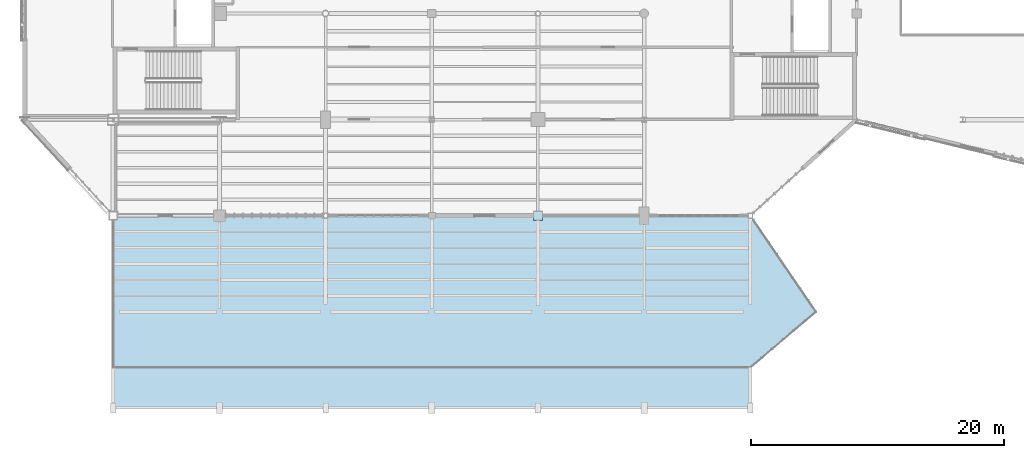
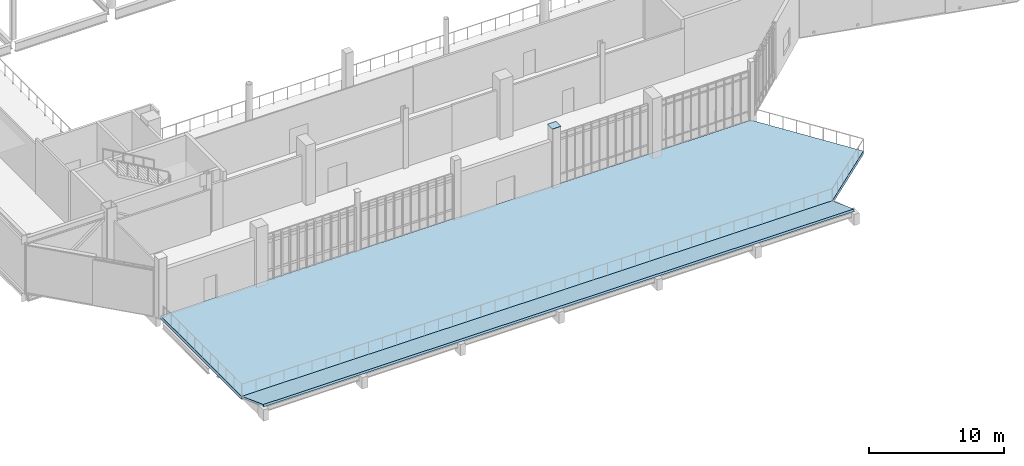
# One storey, part 69 of 127: 2 slabs, 1 plate.
"""IFC4 building model written with IfcOpenShell, lengths in metres."""

from ifc_helpers import new_model, si_unit, direction, frame, origin, origin_2d, place, context, subcontext, project, spatial, polyline, rectangle, outline, extrude, material, layer, layer_set, type_object, element, save


model = new_model("IFC4")

# Units and contexts
model_context = context("Model", 3, precision=1e-05, world=origin(), true_north=direction((0.0, 1.0)))
body_context = subcontext(model_context, "Body", "Model", "MODEL_VIEW")
ifc_project = project(units=[si_unit("LENGTHUNIT", "METRE"), si_unit("AREAUNIT", "SQUARE_METRE"), si_unit("VOLUMEUNIT", "CUBIC_METRE"), si_unit("PLANEANGLEUNIT", "RADIAN"), si_unit("MASSUNIT", "GRAM", prefix="KILO")], contexts=[model_context])

# Site, building, storey
site_placement = place(None, origin())
site = spatial("IfcSite", under=ifc_project, at=site_placement, CompositionType="ELEMENT")
building_placement = place(site_placement, origin())
building = spatial("IfcBuilding", under=site, at=building_placement, Name="Larkvane Passage Sports Hall", CompositionType="ELEMENT")
storey_placement = place(building_placement, frame((0.0, 0.0, 5.39990234375)))
storey = spatial("IfcBuildingStorey", under=building, at=storey_placement, Name="L01", CompositionType="ELEMENT", Elevation=5.39990234375)

# Plate
ifc_material_1 = material(Name="Steel S460N", Category="steel")
ifc_layer_1 = layer(ifc_material_1, 0.028076171875)
ifc_layer_set_1 = layer_set([ifc_layer_1], Name="Steel S460N")
plate_type = type_object("IfcPlateType", Name="PLT-CAP-28", PredefinedType="SHEET", material=ifc_layer_set_1)
plate_placement = place(storey_placement, frame((68.39990234375, 15.199951171875, 5.39990234375), z_axis=(0.0, 0.0, 1.0), x_axis=(1.0, 0.0, 0.0)))
element("IfcPlate", 1, at=plate_placement, inside=storey, type_object=plate_type, Name="Hollow section sealed end cap plate 0012", PredefinedType="SHEET", context=body_context, shape_type="SweptSolid", body=[
    extrude(rectangle(XDim=0.739990234375, YDim=0.739990234375, at=origin_2d()), origin(), (0.0, 0.0, 1.0), 0.028076171875),
])

# Slabs
ifc_material_2 = material(Name="Precast concrete C45/55", Category="concrete")
ifc_layer_2 = layer(ifc_material_2, 0.179931640625)
ifc_layer_set_2 = layer_set([ifc_layer_2], Name="Precast concrete C45/55")
slab_type_1 = type_object("IfcSlabType", Name="SLB-FRP-180", PredefinedType="ROOF", material=ifc_layer_set_2)
slab_1_placement = place(storey_placement, frame((34.800048828125, 0.0, 1.2001953125), z_axis=(0.0, 0.351178241029, 0.93630862595), x_axis=(1.0, 0.0, 0.0)))
element("IfcSlab", 2, at=slab_1_placement, inside=storey, type_object=slab_type_1, Name="Monsoon arcade cantilevered storm eave plate", PredefinedType="ROOF", context=body_context, shape_type="SweptSolid", body=[
    extrude(outline(polyline([(0.0, 0.0), (50.39990234375, 0.0), (50.39990234375, 3.41762436357935), (0.0, 3.41762436357935), (0.0, 0.0)])), origin(), (0.0, 0.0, -1.0), 0.179931640625),
])
ifc_material_3 = material(Name="Concrete C40/50", Category="concrete")
ifc_layer_3 = layer(ifc_material_3, 0.31005859375)
ifc_layer_set_3 = layer_set([ifc_layer_3], Name="Concrete C40/50")
slab_type_2 = type_object("IfcSlabType", Name="SLB-TER-170", PredefinedType="FLOOR", material=ifc_layer_set_3)
slab_2_placement = place(storey_placement, frame((0.0, 0.0, -0.309814453125)))
element("IfcSlab", 3, at=slab_2_placement, inside=storey, type_object=slab_type_2, Name="Exterior terrace deck SLAB-EXT-L01-V6-COURT", PredefinedType="FLOOR", context=body_context, shape_type="SweptSolid", body=[
    extrude(outline(polyline([(34.800048828125, 3.199951171875), (85.199951171875, 3.199951171875), (90.39990234375, 7.60009765625), (85.199951171875, 15.199951171875), (34.800048828125, 15.199951171875), (34.800048828125, 3.199951171875)])), origin(), (0.0, 0.0, 1.0), 0.309814453125),
])

save(model, "model.ifc")
